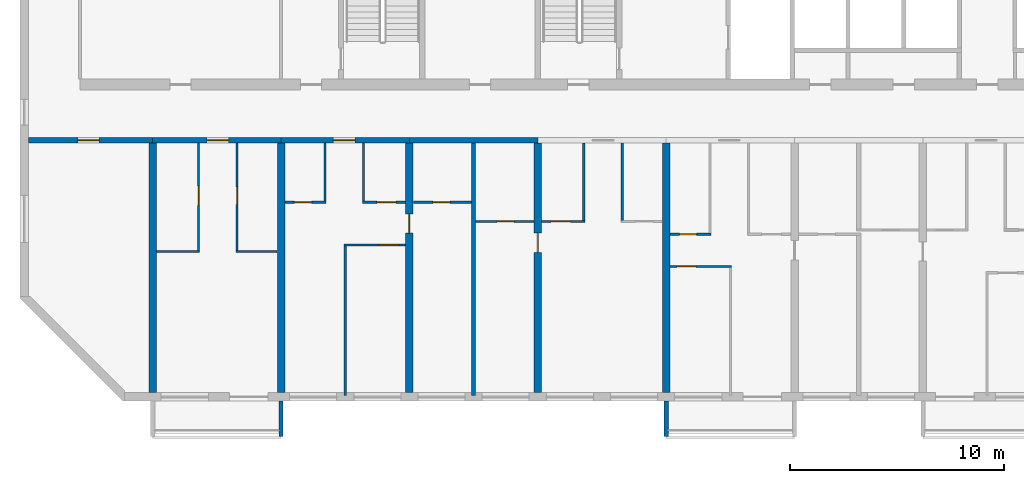
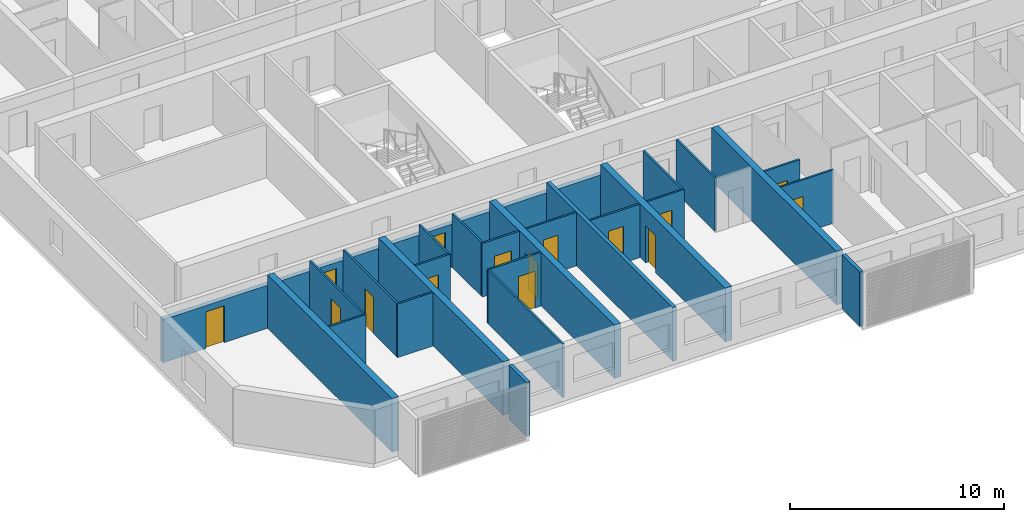
# One storey, part 2 of 27: 29 walls, 15 doors, 15 openings.
"""IFC4 building model written with IfcOpenShell, lengths in metres."""

import ifcopenshell
import ifcopenshell.guid

model = None  # the IFC model being written
_history = None  # IfcOwnerHistory: only IFC2X3 demands one
_inside = {}  # id of a spatial element -> (the spatial element, [elements in it])
_under = {}  # id of a project, library or spatial element -> (it, [spatial elements below it])
_declared = {}  # id of a project -> (the project, [libraries it declares])
_typed = {}  # id of a type object -> (the type object, [elements of that type])
_made_of = {}  # id of a material, layer set ... -> (it, [elements and type objects made of it])


def new_model(schema):
    """Start an empty IFC model of exactly this schema.

    Asked for "IFC4X3", IfcOpenShell would pick the latest addendum, in which some entities
    have other attributes; the version numbers below select the first issue.
    IFC2X3 requires an IfcOwnerHistory on every rooted entity: one is made here for all.
    """
    global model, _history
    if schema == "IFC4X3":
        model = ifcopenshell.file(schema_version=(4, 3, 0, 0))
    else:
        model = ifcopenshell.file(schema=schema)
    _inside.clear()
    _under.clear()
    _declared.clear()
    _typed.clear()
    _made_of.clear()
    _history = None
    if model.schema == "IFC2X3":
        org = make("IfcOrganization", Name="unknown")
        user = make(
            "IfcPersonAndOrganization",
            ThePerson=make("IfcPerson", FamilyName="unknown"),
            TheOrganization=org,
        )
        app = make(
            "IfcApplication",
            ApplicationDeveloper=org,
            Version="unknown",
            ApplicationFullName="unknown",
            ApplicationIdentifier="unknown",
        )
        _history = make(
            "IfcOwnerHistory",
            OwningUser=user,
            OwningApplication=app,
            ChangeAction="ADDED",
            CreationDate=0,
        )
    return model


def make(cls, **values):
    """One entity of the class cls with the attributes given. An attribute that is None is left unset."""
    return model.create_entity(
        cls, **{name: value for name, value in values.items() if value is not None}
    )


def rooted(cls, **values):
    """An entity with a GlobalId (a new one), such as an element, a storey or a relation."""
    return make(cls, GlobalId=ifcopenshell.guid.new(), OwnerHistory=_history, **values)


def si_unit(unit_type, name, prefix=None):
    """IfcSIUnit, for example si_unit("LENGTHUNIT", "METRE", prefix="MILLI")."""
    return make("IfcSIUnit", UnitType=unit_type, Prefix=prefix, Name=name)


def assignment(units):
    """IfcUnitAssignment: the units of a project."""
    return None if units is None else make("IfcUnitAssignment", Units=units)


def point(xyz):
    """IfcCartesianPoint."""
    return None if xyz is None else make("IfcCartesianPoint", Coordinates=xyz)


def direction(xyz):
    """IfcDirection."""
    return None if xyz is None else make("IfcDirection", DirectionRatios=xyz)


def frame(location, z_axis=None, x_axis=None):
    """IfcAxis2Placement3D, a coordinate frame: its origin and axes. An axis left out is left unset."""
    return make(
        "IfcAxis2Placement3D",
        Location=point(location),
        Axis=direction(z_axis),
        RefDirection=direction(x_axis),
    )


def frame_2d(location, x_axis=None):
    """IfcAxis2Placement2D, a coordinate frame in the plane: its origin and x axis."""
    return make(
        "IfcAxis2Placement2D", Location=point(location), RefDirection=direction(x_axis)
    )


def origin():
    """The frame at (0, 0, 0) with its axes left unset."""
    return frame((0.0, 0.0, 0.0))


def place(relative_to, where):
    """IfcLocalPlacement: puts the frame where relative to a parent placement (None: the world)."""
    return make(
        "IfcLocalPlacement", PlacementRelTo=relative_to, RelativePlacement=where
    )


def context(
    kind, dimensions, precision=None, world=None, true_north=None, identifier=None
):
    """IfcGeometricRepresentationContext, for example the 3D "Model" context."""
    return make(
        "IfcGeometricRepresentationContext",
        ContextIdentifier=identifier,
        ContextType=kind,
        CoordinateSpaceDimension=dimensions,
        Precision=precision,
        WorldCoordinateSystem=world,
        TrueNorth=true_north,
    )


def subcontext(parent, identifier, kind, view, scale=None):
    """IfcGeometricRepresentationSubContext, for example "Body" below "Model"."""
    return make(
        "IfcGeometricRepresentationSubContext",
        ContextIdentifier=identifier,
        ContextType=kind,
        ParentContext=parent,
        TargetScale=scale,
        TargetView=view,
    )


def project(units=None, contexts=None):
    """IfcProject with its units and contexts."""
    return rooted(
        "IfcProject",
        Name="project",
        RepresentationContexts=contexts,
        UnitsInContext=assignment(units),
    )


def spatial(cls, under=None, at=None, **own):
    """A site, building, storey or space (cls), placed at a placement, below another one or the project."""
    s = rooted(cls, ObjectPlacement=at, **own)
    if under is not None:
        _under.setdefault(under.id(), (under, []))[1].append(s)
    return s


def polyline(points):
    """IfcPolyline through the points."""
    return make("IfcPolyline", Points=[point(p) for p in points])


def profile(cls, at=None, kind="AREA", **sizes):
    """A parametric profile (cls). Its sizes go by their IFC names, for example OverallWidth=200.0."""
    return make(cls, ProfileType=kind, Position=at, **sizes)


def rectangle(**sizes):
    """IfcRectangleProfileDef."""
    return profile("IfcRectangleProfileDef", **sizes)


def outline(outer, holes=None, kind="AREA"):
    """IfcArbitraryClosedProfileDef: a profile drawn as a closed curve; with holes, ...WithVoids."""
    if holes is None:
        return make("IfcArbitraryClosedProfileDef", ProfileType=kind, OuterCurve=outer)
    return make(
        "IfcArbitraryProfileDefWithVoids",
        ProfileType=kind,
        OuterCurve=outer,
        InnerCurves=holes,
    )


def extrude(swept, where, along, depth):
    """IfcExtrudedAreaSolid: the profile swept, set in the frame where, extruded along a direction by depth."""
    return make(
        "IfcExtrudedAreaSolid",
        SweptArea=swept,
        Position=where,
        ExtrudedDirection=direction(along),
        Depth=depth,
    )


def shape(context_of_items, identifier, shape_type, items):
    """IfcShapeRepresentation: the items that make up one representation, for example the "Body"."""
    return make(
        "IfcShapeRepresentation",
        ContextOfItems=context_of_items,
        RepresentationIdentifier=identifier,
        RepresentationType=shape_type,
        Items=items,
    )


def source(mapping_origin, context_of_items, identifier, shape_type, items):
    """IfcRepresentationMap: a shape defined once, which mapped items show again and again."""
    return make(
        "IfcRepresentationMap",
        MappingOrigin=mapping_origin,
        MappedRepresentation=shape(context_of_items, identifier, shape_type, items),
    )


def transform(
    local_origin,
    x_axis=None,
    y_axis=None,
    z_axis=None,
    scale=None,
    scale2=None,
    scale3=None,
    uniform=True,
):
    """IfcCartesianTransformationOperator3D, or its non-uniform kind. x_axis, y_axis, z_axis: its Axis1, 2, 3."""
    if uniform:
        return make(
            "IfcCartesianTransformationOperator3D",
            Axis1=direction(x_axis),
            Axis2=direction(y_axis),
            LocalOrigin=point(local_origin),
            Scale=scale,
            Axis3=direction(z_axis),
        )
    return make(
        "IfcCartesianTransformationOperator3DnonUniform",
        Axis1=direction(x_axis),
        Axis2=direction(y_axis),
        LocalOrigin=point(local_origin),
        Scale=scale,
        Axis3=direction(z_axis),
        Scale2=scale2,
        Scale3=scale3,
    )


def mapped(mapping_source, mapping_target):
    """IfcMappedItem: shows the shape of a source again, moved by a transform."""
    return make(
        "IfcMappedItem", MappingSource=mapping_source, MappingTarget=mapping_target
    )


def material(Name=None, Category=None):
    """IfcMaterial."""
    return make("IfcMaterial", Name=Name, Category=Category)


def layer(
    of_material, thickness, ventilated=None, Name=None, Category=None, Priority=None
):
    """IfcMaterialLayer: one layer of a wall or slab, of a material (None: an air gap)."""
    return make(
        "IfcMaterialLayer",
        Material=of_material,
        LayerThickness=thickness,
        IsVentilated=ventilated,
        Name=Name,
        Category=Category,
        Priority=Priority,
    )


def layer_set(layers, Name=None):
    """IfcMaterialLayerSet."""
    return make("IfcMaterialLayerSet", MaterialLayers=layers, LayerSetName=Name)


def made_of(thing, what):
    """Note that an element or type object is made of a material, layer set ...; save() writes the relation."""
    if what is not None:
        _made_of.setdefault(what.id(), (what, []))[1].append(thing)
    return thing


def type_object(cls, material=None, **own):
    """A type object (cls), such as IfcWallType, which elements share."""
    return made_of(rooted(cls, **own), material)


def element(
    cls,
    number,
    at=None,
    inside=None,
    cuts=None,
    type_object=None,
    material=None,
    context=None,
    identifier="Body",
    shape_type=None,
    held_by="IfcProductDefinitionShape",
    body=None,
    shapes=None,
    **own,
):
    """One element of the class cls, such as IfcWall. Its Tag is "e" and its number.

    at: its placement. inside: the storey or other place that contains it. cuts: it is an
    opening in that element (IfcRelVoidsElement). A single representation is given by context,
    identifier, shape_type and body (its items); several are given by shapes. held_by: the class
    of the entity that holds the representations. save() writes the other relations.
    """
    e = rooted(cls, Tag="e%d" % number, ObjectPlacement=at, **own)
    if body is not None:
        shapes = [shape(context, identifier, shape_type, body)]
    if shapes is not None:
        e.Representation = make(held_by, Representations=shapes)
    if inside is not None:
        _inside.setdefault(inside.id(), (inside, []))[1].append(e)
    if cuts is not None:
        rooted(
            "IfcRelVoidsElement", RelatingBuildingElement=cuts, RelatedOpeningElement=e
        )
    if type_object is not None:
        _typed.setdefault(type_object.id(), (type_object, []))[1].append(e)
    return made_of(e, material)


def fill(opening, filler):
    """IfcRelFillsElement: the door or window that sits in an opening."""
    return rooted(
        "IfcRelFillsElement",
        RelatingOpeningElement=opening,
        RelatedBuildingElement=filler,
    )


def aggregate(whole, parts):
    """IfcRelAggregates: a whole, such as a stair, and the parts it consists of."""
    return rooted("IfcRelAggregates", RelatingObject=whole, RelatedObjects=parts)


def save(model, path):
    """Write the relations noted so far, then the file.

    IfcRelAggregates (storeys below a building ...), IfcRelContainedInSpatialStructure (elements
    in a storey), IfcRelDefinesByType, IfcRelAssociatesMaterial and IfcRelDeclares: one each for
    every whole, place, type object, material and project.
    """
    for whole, parts in _under.values():
        aggregate(whole, parts)
    for where, things in _inside.values():
        rooted(
            "IfcRelContainedInSpatialStructure",
            RelatedElements=things,
            RelatingStructure=where,
        )
    for kind, things in _typed.values():
        rooted("IfcRelDefinesByType", RelatedObjects=things, RelatingType=kind)
    for what, things in _made_of.values():
        rooted("IfcRelAssociatesMaterial", RelatedObjects=things, RelatingMaterial=what)
    for by, libraries in _declared.values():
        rooted("IfcRelDeclares", RelatingContext=by, RelatedDefinitions=libraries)
    model.write(path)


model = new_model("IFC4")

# Units and contexts
model_context = context("Model", 3, precision=1e-05, world=origin(), true_north=direction((0.0, 1.0)))
body_context = subcontext(model_context, "Body", "Model", "MODEL_VIEW")
ifc_project = project(units=[si_unit("LENGTHUNIT", "METRE"), si_unit("AREAUNIT", "SQUARE_METRE"), si_unit("VOLUMEUNIT", "CUBIC_METRE"), si_unit("PLANEANGLEUNIT", "RADIAN"), si_unit("MASSUNIT", "GRAM", prefix="KILO")], contexts=[model_context])

# Site, building, storey
site_placement = place(None, origin())
site = spatial("IfcSite", under=ifc_project, at=site_placement, CompositionType="ELEMENT")
building_placement = place(site_placement, origin())
building = spatial("IfcBuilding", under=site, at=building_placement, Name="Poui Terraces", CompositionType="ELEMENT")
storey_placement = place(building_placement, frame((0.0, 0.0, 92.699951171875)))
storey = spatial("IfcBuildingStorey", under=building, at=storey_placement, Name="L25", CompositionType="ELEMENT", Elevation=92.699951171875)

# Wall, opening, door
ifc_material_1 = material(Name="Concrete 65 MPa", Category="concrete")
ifc_layer_1 = layer(ifc_material_1, 0.25)
ifc_layer_set_1 = layer_set([ifc_layer_1], Name="Concrete 65 MPa")
wall_type_1 = type_object("IfcWallType", Name="CORRIDOR WALL 250 65MPa", PredefinedType="SHEAR", material=ifc_layer_set_1)
wall_1_placement = place(storey_placement, frame((6.199951171875, 12.0, 0.0), z_axis=(0.0, 0.0, 1.0), x_axis=(1.0, 0.0, 0.0)))
wall_1 = element("IfcWall", 1, at=wall_1_placement, inside=storey, type_object=wall_type_1, Name="CORRIDOR WALL LINE B BAY 1", PredefinedType="SHEAR", context=body_context, shape_type="SweptSolid", body=[
    extrude(rectangle(XDim=5.800048828125, YDim=0.25, at=frame_2d((2.89990234375, 0.0))), origin(), (0.0, 0.0, 1.0), 2.4599609375),
])
opening_1_placement = place(wall_1_placement, frame((2.300048828125, 0.0, 0.0)))
opening_1 = element("IfcOpeningElement", 2, at=opening_1_placement, cuts=wall_1, Name="Opening D100", PredefinedType="OPENING", context=body_context, shape_type="SweptSolid", body=[
    extrude(rectangle(XDim=1.0, YDim=2.10009765625, at=frame_2d((0.5, 1.050048828125))), frame((0.0, 0.135009765625, 0.0), z_axis=(0.0, -1.0, 0.0), x_axis=(1.0, 0.0, 0.0)), (0.0, 0.0, 1.0), 0.27001953125),
])
ifc_material_2 = material(Name="Solid core timber door", Category="wood")
door_type_1 = type_object("IfcDoorType", Name="ACCESSIBLE INTERNAL DOOR 1000 X 2100", OperationType="NOTDEFINED", PredefinedType="DOOR", material=ifc_material_2)
door_1_placement = place(opening_1_placement, frame((1.0, 0.0, 0.0), z_axis=(0.0, 0.0, 1.0), x_axis=(-1.0, 0.0, 0.0)))
door_1 = element("IfcDoor", 3, at=door_1_placement, inside=storey, type_object=door_type_1, Name="ACCESSIBLE INTERNAL DOOR 083", OperationType="SINGLE_SWING_RIGHT", OverallHeight=2.10009765625, OverallWidth=1.0, PredefinedType="DOOR", context=body_context, shape_type="SweptSolid", body=[
    extrude(rectangle(XDim=1.0, YDim=2.10009765625, at=frame_2d((0.5, 1.050048828125))), frame((0.0, 0.02490234375, 0.0), z_axis=(0.0, -1.0, 0.0), x_axis=(1.0, 0.0, 0.0)), (0.0, 0.0, 1.0), 0.050048828125),
])
fill(opening_1, door_1)

wall_2_placement = place(storey_placement, frame((12.0, 12.0, 0.0), z_axis=(0.0, 0.0, 1.0), x_axis=(1.0, 0.0, 0.0)))
wall_2 = element("IfcWall", 4, at=wall_2_placement, inside=storey, type_object=wall_type_1, Name="CORRIDOR WALL LINE B BAY 2", PredefinedType="SHEAR", context=body_context, shape_type="SweptSolid", body=[
    extrude(rectangle(XDim=6.0, YDim=0.25, at=frame_2d((3.0, 0.0))), origin(), (0.0, 0.0, 1.0), 2.4599609375),
])
opening_2_placement = place(wall_2_placement, frame((2.550048828125, 0.0, 0.0)))
opening_2 = element("IfcOpeningElement", 5, at=opening_2_placement, cuts=wall_2, Name="Opening FD30S", PredefinedType="OPENING", context=body_context, shape_type="SweptSolid", body=[
    extrude(rectangle(XDim=1.0, YDim=2.10009765625, at=frame_2d((0.5, 1.050048828125))), frame((0.0, 0.135009765625, 0.0), z_axis=(0.0, -1.0, 0.0), x_axis=(1.0, 0.0, 0.0)), (0.0, 0.0, 1.0), 0.27001953125),
])
ifc_material_3 = material(Name="Steel fire door", Category="steel")
door_type_2 = type_object("IfcDoorType", Name="FLAT ENTRANCE DOOR 1000 X 2100", OperationType="NOTDEFINED", PredefinedType="DOOR", material=ifc_material_3)
door_2_placement = place(opening_2_placement, frame((1.0, 0.0, 0.0), z_axis=(0.0, 0.0, 1.0), x_axis=(-1.0, 0.0, 0.0)))
door_2 = element("IfcDoor", 6, at=door_2_placement, inside=storey, type_object=door_type_2, Name="FLAT ENTRANCE DOOR 085", OperationType="SINGLE_SWING_LEFT", OverallHeight=2.10009765625, OverallWidth=1.0, PredefinedType="DOOR", context=body_context, shape_type="SweptSolid", body=[
    extrude(rectangle(XDim=1.0, YDim=2.10009765625, at=frame_2d((0.5, 1.050048828125))), frame((0.0, 0.02490234375, 0.0), z_axis=(0.0, -1.0, 0.0), x_axis=(1.0, 0.0, 0.0)), (0.0, 0.0, 1.0), 0.050048828125),
])
fill(opening_2, door_2)

wall_3_placement = place(storey_placement, frame((18.0, 12.0, 0.0), z_axis=(0.0, 0.0, 1.0), x_axis=(1.0, 0.0, 0.0)))
wall_3 = element("IfcWall", 7, at=wall_3_placement, inside=storey, type_object=wall_type_1, Name="CORRIDOR WALL LINE B BAY 3", PredefinedType="SHEAR", context=body_context, shape_type="SweptSolid", body=[
    extrude(rectangle(XDim=6.0, YDim=0.25, at=frame_2d((3.0, 0.0))), origin(), (0.0, 0.0, 1.0), 2.4599609375),
])
opening_3_placement = place(wall_3_placement, frame((2.449951171875, 0.0, 0.0)))
opening_3 = element("IfcOpeningElement", 8, at=opening_3_placement, cuts=wall_3, Name="Opening FD30S", PredefinedType="OPENING", context=body_context, shape_type="SweptSolid", body=[
    extrude(rectangle(XDim=1.0, YDim=2.10009765625, at=frame_2d((0.5, 1.050048828125))), frame((0.0, 0.135009765625, 0.0), z_axis=(0.0, -1.0, 0.0), x_axis=(1.0, 0.0, 0.0)), (0.0, 0.0, 1.0), 0.27001953125),
])
door_3_placement = place(opening_3_placement, frame((1.0, 0.0, 0.0), z_axis=(0.0, 0.0, 1.0), x_axis=(-1.0, 0.0, 0.0)))
door_3 = element("IfcDoor", 9, at=door_3_placement, inside=storey, type_object=door_type_2, Name="FLAT ENTRANCE DOOR 089", OperationType="SINGLE_SWING_RIGHT", OverallHeight=2.10009765625, OverallWidth=1.0, PredefinedType="DOOR", context=body_context, shape_type="SweptSolid", body=[
    extrude(rectangle(XDim=1.0, YDim=2.10009765625, at=frame_2d((0.5, 1.050048828125))), frame((0.0, 0.02490234375, 0.0), z_axis=(0.0, -1.0, 0.0), x_axis=(1.0, 0.0, 0.0)), (0.0, 0.0, 1.0), 0.050048828125),
])
fill(opening_3, door_3)

# Walls
wall_4_placement = place(storey_placement, frame((24.0, 12.0, 0.0), z_axis=(0.0, 0.0, 1.0), x_axis=(1.0, 0.0, 0.0)))
element("IfcWall", 10, at=wall_4_placement, inside=storey, type_object=wall_type_1, Name="CORRIDOR WALL LINE B BAY 4", PredefinedType="SHEAR", context=body_context, shape_type="SweptSolid", body=[
    extrude(rectangle(XDim=6.0, YDim=0.25, at=frame_2d((3.0, 0.0))), origin(), (0.0, 0.0, 1.0), 2.4599609375),
])
ifc_layer_2 = layer(ifc_material_1, 0.35009765625)
ifc_layer_set_2 = layer_set([ifc_layer_2], Name="Concrete 65 MPa")
wall_type_2 = type_object("IfcWallType", Name="CROSS WALL 350 65MPa", PredefinedType="SHEAR", material=ifc_layer_set_2)
for number, where, z_axis, x_axis, name in (
    (11, (12.0, 0.199951171875, 0.0), (0.0, 0.0, 1.0), (0.0, 1.0, 0.0), "CROSS WALL LINE 3 SOUTH"),
    (12, (18.0, 0.199951171875, 0.0), (0.0, 0.0, 1.0), (0.0, 1.0, 0.0), "CROSS WALL LINE 4 SOUTH"),
):
    element("IfcWall", number, at=place(storey_placement, frame(where, z_axis=z_axis, x_axis=x_axis)), inside=storey, type_object=wall_type_2, Name=name, PredefinedType="SHEAR", context=body_context, shape_type="SweptSolid", body=[
        extrude(rectangle(XDim=11.675048828125, YDim=0.35009765625, at=frame_2d((5.83740234375, 0.0))), origin(), (0.0, 0.0, 1.0), 3.06005859375),
    ])

# Wall, opening, door
wall_5_placement = place(storey_placement, frame((24.0, 0.199951171875, 0.0), z_axis=(0.0, 0.0, 1.0), x_axis=(0.0, 1.0, 0.0)))
wall_5 = element("IfcWall", 13, at=wall_5_placement, inside=storey, type_object=wall_type_2, Name="CROSS WALL LINE 5 SOUTH", PredefinedType="SHEAR", context=body_context, shape_type="SweptSolid", body=[
    extrude(rectangle(XDim=11.675048828125, YDim=0.35009765625, at=frame_2d((5.83740234375, 0.0))), origin(), (0.0, 0.0, 1.0), 3.06005859375),
])
opening_4_placement = place(wall_5_placement, frame((7.449951171875, 0.0, 0.0)))
opening_4 = element("IfcOpeningElement", 14, at=opening_4_placement, cuts=wall_5, Name="Opening D90", PredefinedType="OPENING", context=body_context, shape_type="SweptSolid", body=[
    extrude(rectangle(XDim=0.89990234375, YDim=2.10009765625, at=frame_2d((0.449951171875, 1.050048828125))), frame((0.0, 0.18505859375, 0.0), z_axis=(0.0, -1.0, 0.0), x_axis=(1.0, 0.0, 0.0)), (0.0, 0.0, 1.0), 0.3701171875),
])
door_type_3 = type_object("IfcDoorType", Name="INTERNAL DOOR 900 X 2100", OperationType="NOTDEFINED", PredefinedType="DOOR", material=ifc_material_2)
door_4_placement = place(opening_4_placement, frame((0.89990234375, 0.0, 0.0), z_axis=(0.0, 0.0, 1.0), x_axis=(-1.0, 0.0, 0.0)))
door_4 = element("IfcDoor", 15, at=door_4_placement, inside=storey, type_object=door_type_3, Name="INTERNAL DOOR 092", OperationType="SINGLE_SWING_LEFT", OverallHeight=2.10009765625, OverallWidth=0.89990234375, PredefinedType="DOOR", context=body_context, shape_type="SweptSolid", body=[
    extrude(rectangle(XDim=0.89990234375, YDim=2.10009765625, at=frame_2d((0.449951171875, 1.050048828125))), frame((0.0, 0.02490234375, 0.0), z_axis=(0.0, -1.0, 0.0), x_axis=(1.0, 0.0, 0.0)), (0.0, 0.0, 1.0), 0.050048828125),
])
fill(opening_4, door_4)

wall_6_placement = place(storey_placement, frame((30.0, 0.199951171875, 0.0), z_axis=(0.0, 0.0, 1.0), x_axis=(0.0, 1.0, 0.0)))
wall_6 = element("IfcWall", 16, at=wall_6_placement, inside=storey, type_object=wall_type_2, Name="CROSS WALL LINE 6 SOUTH", PredefinedType="SHEAR", context=body_context, shape_type="SweptSolid", body=[
    extrude(rectangle(XDim=11.675048828125, YDim=0.35009765625, at=frame_2d((5.83740234375, 0.0))), origin(), (0.0, 0.0, 1.0), 3.06005859375),
])
opening_5_placement = place(wall_6_placement, frame((6.550048828125, 0.0, 0.0)))
opening_5 = element("IfcOpeningElement", 17, at=opening_5_placement, cuts=wall_6, Name="Opening D90", PredefinedType="OPENING", context=body_context, shape_type="SweptSolid", body=[
    extrude(rectangle(XDim=0.89990234375, YDim=2.10009765625, at=frame_2d((0.449951171875, 1.050048828125))), frame((0.0, 0.18505859375, 0.0), z_axis=(0.0, -1.0, 0.0), x_axis=(1.0, 0.0, 0.0)), (0.0, 0.0, 1.0), 0.3701171875),
])
door_5_placement = place(opening_5_placement, origin())
door_5 = element("IfcDoor", 18, at=door_5_placement, inside=storey, type_object=door_type_3, Name="INTERNAL DOOR 094", OperationType="SINGLE_SWING_RIGHT", OverallHeight=2.10009765625, OverallWidth=0.89990234375, PredefinedType="DOOR", context=body_context, shape_type="SweptSolid", body=[
    extrude(rectangle(XDim=0.89990234375, YDim=2.10009765625, at=frame_2d((0.449951171875, 1.050048828125))), frame((0.0, 0.02490234375, 0.0), z_axis=(0.0, -1.0, 0.0), x_axis=(1.0, 0.0, 0.0)), (0.0, 0.0, 1.0), 0.050048828125),
])
fill(opening_5, door_5)

# Wall
wall_7_placement = place(storey_placement, frame((36.0, 0.199951171875, 0.0), z_axis=(0.0, 0.0, 1.0), x_axis=(0.0, 1.0, 0.0)))
element("IfcWall", 19, at=wall_7_placement, inside=storey, type_object=wall_type_2, Name="CROSS WALL LINE 7 SOUTH", PredefinedType="SHEAR", context=body_context, shape_type="SweptSolid", body=[
    extrude(rectangle(XDim=11.675048828125, YDim=0.35009765625, at=frame_2d((5.83740234375, 0.0))), origin(), (0.0, 0.0, 1.0), 3.06005859375),
])

# Wall, opening, door
ifc_material_4 = material(Name="Plasterboard partition")
ifc_layer_3 = layer(ifc_material_4, 0.10009765625)
ifc_layer_set_3 = layer_set([ifc_layer_3], Name="Plasterboard partition")
wall_type_3 = type_object("IfcWallType", Name="FLAT PARTITION 100", PredefinedType="PARTITIONING", material=ifc_layer_set_3)
wall_8_placement = place(storey_placement, frame((36.18505859375, 6.10009765625, 0.0), z_axis=(0.0, 0.0, 1.0), x_axis=(1.0, 0.0, 0.0)))
wall_8 = element("IfcWall", 20, at=wall_8_placement, inside=storey, type_object=wall_type_3, Name="FLAT PARTITION 100", PredefinedType="PARTITIONING", context=body_context, shape_type="SweptSolid", body=[
    extrude(rectangle(XDim=2.864990234375, YDim=0.10009765625, at=frame_2d((1.4326171875, 0.0))), origin(), (0.0, 0.0, 1.0), 3.06005859375),
])
opening_6_placement = place(wall_8_placement, frame((0.31494140625, 0.0, 0.0)))
opening_6 = element("IfcOpeningElement", 21, at=opening_6_placement, cuts=wall_8, Name="Opening D90", PredefinedType="OPENING", context=body_context, shape_type="SweptSolid", body=[
    extrude(rectangle(XDim=0.89990234375, YDim=2.10009765625, at=frame_2d((0.449951171875, 1.050048828125))), frame((0.0, 0.06005859375, 0.0), z_axis=(0.0, -1.0, 0.0), x_axis=(1.0, 0.0, 0.0)), (0.0, 0.0, 1.0), 0.1201171875),
])
door_6_placement = place(opening_6_placement, origin())
door_6 = element("IfcDoor", 22, at=door_6_placement, inside=storey, type_object=door_type_3, Name="INTERNAL DOOR 099", OperationType="SINGLE_SWING_RIGHT", OverallHeight=2.10009765625, OverallWidth=0.89990234375, PredefinedType="DOOR", context=body_context, shape_type="SweptSolid", body=[
    extrude(rectangle(XDim=0.89990234375, YDim=2.10009765625, at=frame_2d((0.449951171875, 1.050048828125))), frame((0.0, 0.02490234375, 0.0), z_axis=(0.0, -1.0, 0.0), x_axis=(1.0, 0.0, 0.0)), (0.0, 0.0, 1.0), 0.050048828125),
])
fill(opening_6, door_6)

# Walls
wall_9_placement = place(storey_placement, frame((12.18505859375, 6.800048828125, 0.0), z_axis=(0.0, 0.0, 1.0), x_axis=(1.0, 0.0, 0.0)))
element("IfcWall", 23, at=wall_9_placement, inside=storey, type_object=wall_type_3, Name="FLAT PARTITION 100", PredefinedType="PARTITIONING", context=body_context, shape_type="SweptSolid", body=[
    extrude(rectangle(XDim=2.014892578125, YDim=0.10009765625, at=frame_2d((1.00732421875, 0.0))), origin(), (0.0, 0.0, 1.0), 3.06005859375),
])
wall_10_placement = place(storey_placement, frame((15.89990234375, 6.800048828125, 0.0), z_axis=(0.0, 0.0, 1.0), x_axis=(1.0, 0.0, 0.0)))
element("IfcWall", 24, at=wall_10_placement, inside=storey, type_object=wall_type_3, Name="FLAT PARTITION 100", PredefinedType="PARTITIONING", context=body_context, shape_type="SweptSolid", body=[
    extrude(rectangle(XDim=1.9150390625, YDim=0.10009765625, at=frame_2d((0.95751953125, 0.0))), origin(), (0.0, 0.0, 1.0), 3.06005859375),
])

# Wall, opening, door
wall_11_placement = place(storey_placement, frame((20.949951171875, 7.10009765625, 0.0), z_axis=(0.0, 0.0, 1.0), x_axis=(1.0, 0.0, 0.0)))
wall_11 = element("IfcWall", 25, at=wall_11_placement, inside=storey, type_object=wall_type_3, Name="FLAT PARTITION 100", PredefinedType="PARTITIONING", context=body_context, shape_type="SweptSolid", body=[
    extrude(rectangle(XDim=2.864990234375, YDim=0.10009765625, at=frame_2d((1.4326171875, 0.0))), origin(), (0.0, 0.0, 1.0), 3.06005859375),
])
opening_7_placement = place(wall_11_placement, frame((1.64990234375, 0.0, 0.0)))
opening_7 = element("IfcOpeningElement", 26, at=opening_7_placement, cuts=wall_11, Name="Opening D90", PredefinedType="OPENING", context=body_context, shape_type="SweptSolid", body=[
    extrude(rectangle(XDim=0.89990234375, YDim=2.10009765625, at=frame_2d((0.449951171875, 1.050048828125))), frame((0.0, 0.06005859375, 0.0), z_axis=(0.0, -1.0, 0.0), x_axis=(1.0, 0.0, 0.0)), (0.0, 0.0, 1.0), 0.1201171875),
])
door_7_placement = place(opening_7_placement, origin())
door_7 = element("IfcDoor", 27, at=door_7_placement, inside=storey, type_object=door_type_3, Name="INTERNAL DOOR 091", OperationType="SINGLE_SWING_LEFT", OverallHeight=2.10009765625, OverallWidth=0.89990234375, PredefinedType="DOOR", context=body_context, shape_type="SweptSolid", body=[
    extrude(rectangle(XDim=0.89990234375, YDim=2.10009765625, at=frame_2d((0.449951171875, 1.050048828125))), frame((0.0, 0.02490234375, 0.0), z_axis=(0.0, -1.0, 0.0), x_axis=(1.0, 0.0, 0.0)), (0.0, 0.0, 1.0), 0.050048828125),
])
fill(opening_7, door_7)

wall_12_placement = place(storey_placement, frame((36.18505859375, 7.60009765625, 0.0), z_axis=(0.0, 0.0, 1.0), x_axis=(1.0, 0.0, 0.0)))
wall_12 = element("IfcWall", 28, at=wall_12_placement, inside=storey, type_object=wall_type_3, Name="FLAT PARTITION 100", PredefinedType="PARTITIONING", context=body_context, shape_type="SweptSolid", body=[
    extrude(rectangle(XDim=1.9150390625, YDim=0.10009765625, at=frame_2d((0.95751953125, 0.0))), origin(), (0.0, 0.0, 1.0), 3.06005859375),
])
opening_8_placement = place(wall_12_placement, frame((0.43994140625, 0.0, 0.0)))
opening_8 = element("IfcOpeningElement", 29, at=opening_8_placement, cuts=wall_12, Name="Opening D80", PredefinedType="OPENING", context=body_context, shape_type="SweptSolid", body=[
    extrude(rectangle(XDim=0.800048828125, YDim=2.10009765625, at=frame_2d((0.39990234375, 1.050048828125))), frame((0.0, 0.06005859375, 0.0), z_axis=(0.0, -1.0, 0.0), x_axis=(1.0, 0.0, 0.0)), (0.0, 0.0, 1.0), 0.1201171875),
])
door_type_4 = type_object("IfcDoorType", Name="BATHROOM, LAUNDRY AND STORE DOOR 800 X 2100", OperationType="NOTDEFINED", PredefinedType="DOOR", material=ifc_material_2)
door_8_placement = place(opening_8_placement, origin())
door_8 = element("IfcDoor", 30, at=door_8_placement, inside=storey, type_object=door_type_4, Name="BATHROOM, LAUNDRY AND STORE DOOR 100", OperationType="SINGLE_SWING_LEFT", OverallHeight=2.10009765625, OverallWidth=0.800048828125, PredefinedType="DOOR", context=body_context, shape_type="SweptSolid", body=[
    extrude(rectangle(XDim=0.800048828125, YDim=2.10009765625, at=frame_2d((0.39990234375, 1.050048828125))), frame((0.0, 0.02490234375, 0.0), z_axis=(0.0, -1.0, 0.0), x_axis=(1.0, 0.0, 0.0)), (0.0, 0.0, 1.0), 0.050048828125),
])
fill(opening_8, door_8)

wall_13_placement = place(storey_placement, frame((27.10009765625, 8.199951171875, 0.0), z_axis=(0.0, 0.0, 1.0), x_axis=(1.0, 0.0, 0.0)))
wall_13 = element("IfcWall", 31, at=wall_13_placement, inside=storey, type_object=wall_type_3, Name="FLAT PARTITION 100", PredefinedType="PARTITIONING", context=body_context, shape_type="SweptSolid", body=[
    extrude(rectangle(XDim=2.71484375, YDim=0.10009765625, at=frame_2d((1.357421875, 0.0))), origin(), (0.0, 0.0, 1.0), 3.06005859375),
])
opening_9_placement = place(wall_13_placement, frame((1.0, 0.0, 0.0)))
opening_9 = element("IfcOpeningElement", 32, at=opening_9_placement, cuts=wall_13, Name="Opening D80", PredefinedType="OPENING", context=body_context, shape_type="SweptSolid", body=[
    extrude(rectangle(XDim=0.800048828125, YDim=2.10009765625, at=frame_2d((0.39990234375, 1.050048828125))), frame((0.0, 0.06005859375, 0.0), z_axis=(0.0, -1.0, 0.0), x_axis=(1.0, 0.0, 0.0)), (0.0, 0.0, 1.0), 0.1201171875),
])
door_9_placement = place(opening_9_placement, origin())
door_9 = element("IfcDoor", 33, at=door_9_placement, inside=storey, type_object=door_type_4, Name="BATHROOM, LAUNDRY AND STORE DOOR 093", OperationType="SINGLE_SWING_RIGHT", OverallHeight=2.10009765625, OverallWidth=0.800048828125, PredefinedType="DOOR", context=body_context, shape_type="SweptSolid", body=[
    extrude(rectangle(XDim=0.800048828125, YDim=2.10009765625, at=frame_2d((0.39990234375, 1.050048828125))), frame((0.0, 0.02490234375, 0.0), z_axis=(0.0, -1.0, 0.0), x_axis=(1.0, 0.0, 0.0)), (0.0, 0.0, 1.0), 0.050048828125),
])
fill(opening_9, door_9)

wall_14_placement = place(storey_placement, frame((30.18505859375, 8.199951171875, 0.0), z_axis=(0.0, 0.0, 1.0), x_axis=(1.0, 0.0, 0.0)))
wall_14 = element("IfcWall", 34, at=wall_14_placement, inside=storey, type_object=wall_type_3, Name="FLAT PARTITION 100", PredefinedType="PARTITIONING", context=body_context, shape_type="SweptSolid", body=[
    extrude(rectangle(XDim=2.014892578125, YDim=0.10009765625, at=frame_2d((1.00732421875, 0.0))), origin(), (0.0, 0.0, 1.0), 3.06005859375),
])
opening_10_placement = place(wall_14_placement, frame((0.43994140625, 0.0, 0.0)))
opening_10 = element("IfcOpeningElement", 35, at=opening_10_placement, cuts=wall_14, Name="Opening D90", PredefinedType="OPENING", context=body_context, shape_type="SweptSolid", body=[
    extrude(rectangle(XDim=0.89990234375, YDim=2.10009765625, at=frame_2d((0.449951171875, 1.050048828125))), frame((0.0, 0.06005859375, 0.0), z_axis=(0.0, -1.0, 0.0), x_axis=(1.0, 0.0, 0.0)), (0.0, 0.0, 1.0), 0.1201171875),
])
door_10_placement = place(opening_10_placement, origin())
door_10 = element("IfcDoor", 36, at=door_10_placement, inside=storey, type_object=door_type_3, Name="INTERNAL DOOR 095", OperationType="SINGLE_SWING_LEFT", OverallHeight=2.10009765625, OverallWidth=0.89990234375, PredefinedType="DOOR", context=body_context, shape_type="SweptSolid", body=[
    extrude(rectangle(XDim=0.89990234375, YDim=2.10009765625, at=frame_2d((0.449951171875, 1.050048828125))), frame((0.0, 0.02490234375, 0.0), z_axis=(0.0, -1.0, 0.0), x_axis=(1.0, 0.0, 0.0)), (0.0, 0.0, 1.0), 0.050048828125),
])
fill(opening_10, door_10)

wall_15_placement = place(storey_placement, frame((18.18505859375, 9.10009765625, 0.0), z_axis=(0.0, 0.0, 1.0), x_axis=(1.0, 0.0, 0.0)))
wall_15 = element("IfcWall", 37, at=wall_15_placement, inside=storey, type_object=wall_type_3, Name="FLAT PARTITION 100", PredefinedType="PARTITIONING", context=body_context, shape_type="SweptSolid", body=[
    extrude(rectangle(XDim=1.9150390625, YDim=0.10009765625, at=frame_2d((0.95751953125, 0.0))), origin(), (0.0, 0.0, 1.0), 3.06005859375),
])
opening_11_placement = place(wall_15_placement, frame((0.43994140625, 0.0, 0.0)))
opening_11 = element("IfcOpeningElement", 38, at=opening_11_placement, cuts=wall_15, Name="Opening D80", PredefinedType="OPENING", context=body_context, shape_type="SweptSolid", body=[
    extrude(rectangle(XDim=0.800048828125, YDim=2.10009765625, at=frame_2d((0.39990234375, 1.050048828125))), frame((0.0, 0.06005859375, 0.0), z_axis=(0.0, -1.0, 0.0), x_axis=(1.0, 0.0, 0.0)), (0.0, 0.0, 1.0), 0.1201171875),
])
door_11_placement = place(opening_11_placement, origin())
door_11 = element("IfcDoor", 39, at=door_11_placement, inside=storey, type_object=door_type_4, Name="BATHROOM, LAUNDRY AND STORE DOOR 088", OperationType="SINGLE_SWING_LEFT", OverallHeight=2.10009765625, OverallWidth=0.800048828125, PredefinedType="DOOR", context=body_context, shape_type="SweptSolid", body=[
    extrude(rectangle(XDim=0.800048828125, YDim=2.10009765625, at=frame_2d((0.39990234375, 1.050048828125))), frame((0.0, 0.02490234375, 0.0), z_axis=(0.0, -1.0, 0.0), x_axis=(1.0, 0.0, 0.0)), (0.0, 0.0, 1.0), 0.050048828125),
])
fill(opening_11, door_11)

wall_16_placement = place(storey_placement, frame((21.800048828125, 9.10009765625, 0.0), z_axis=(0.0, 0.0, 1.0), x_axis=(1.0, 0.0, 0.0)))
wall_16 = element("IfcWall", 40, at=wall_16_placement, inside=storey, type_object=wall_type_3, Name="FLAT PARTITION 100", PredefinedType="PARTITIONING", context=body_context, shape_type="SweptSolid", body=[
    extrude(rectangle(XDim=2.014892578125, YDim=0.10009765625, at=frame_2d((1.00732421875, 0.0))), origin(), (0.0, 0.0, 1.0), 3.06005859375),
])
opening_12_placement = place(wall_16_placement, frame((0.675048828125, 0.0, 0.0)))
opening_12 = element("IfcOpeningElement", 41, at=opening_12_placement, cuts=wall_16, Name="Opening D90", PredefinedType="OPENING", context=body_context, shape_type="SweptSolid", body=[
    extrude(rectangle(XDim=0.89990234375, YDim=2.10009765625, at=frame_2d((0.449951171875, 1.050048828125))), frame((0.0, 0.06005859375, 0.0), z_axis=(0.0, -1.0, 0.0), x_axis=(1.0, 0.0, 0.0)), (0.0, 0.0, 1.0), 0.1201171875),
])
door_12_placement = place(opening_12_placement, origin())
door_12 = element("IfcDoor", 42, at=door_12_placement, inside=storey, type_object=door_type_3, Name="INTERNAL DOOR 090", OperationType="SINGLE_SWING_RIGHT", OverallHeight=2.10009765625, OverallWidth=0.89990234375, PredefinedType="DOOR", context=body_context, shape_type="SweptSolid", body=[
    extrude(rectangle(XDim=0.89990234375, YDim=2.10009765625, at=frame_2d((0.449951171875, 1.050048828125))), frame((0.0, 0.02490234375, 0.0), z_axis=(0.0, -1.0, 0.0), x_axis=(1.0, 0.0, 0.0)), (0.0, 0.0, 1.0), 0.050048828125),
])
fill(opening_12, door_12)

wall_17_placement = place(storey_placement, frame((24.18505859375, 9.10009765625, 0.0), z_axis=(0.0, 0.0, 1.0), x_axis=(1.0, 0.0, 0.0)))
wall_17 = element("IfcWall", 43, at=wall_17_placement, inside=storey, type_object=wall_type_3, Name="FLAT PARTITION 100", PredefinedType="PARTITIONING", context=body_context, shape_type="SweptSolid", body=[
    extrude(rectangle(XDim=2.71484375, YDim=0.10009765625, at=frame_2d((1.357421875, 0.0))), origin(), (0.0, 0.0, 1.0), 3.06005859375),
])
opening_13_placement = place(wall_17_placement, frame((0.9150390625, 0.0, 0.0)))
opening_13 = element("IfcOpeningElement", 44, at=opening_13_placement, cuts=wall_17, Name="Opening D80", PredefinedType="OPENING", context=body_context, shape_type="SweptSolid", body=[
    extrude(rectangle(XDim=0.800048828125, YDim=2.10009765625, at=frame_2d((0.39990234375, 1.050048828125))), frame((0.0, 0.06005859375, 0.0), z_axis=(0.0, -1.0, 0.0), x_axis=(1.0, 0.0, 0.0)), (0.0, 0.0, 1.0), 0.1201171875),
])
door_13_placement = place(opening_13_placement, origin())
door_13 = element("IfcDoor", 45, at=door_13_placement, inside=storey, type_object=door_type_4, Name="BATHROOM, LAUNDRY AND STORE DOOR 087", OperationType="SINGLE_SWING_LEFT", OverallHeight=2.10009765625, OverallWidth=0.800048828125, PredefinedType="DOOR", context=body_context, shape_type="SweptSolid", body=[
    extrude(rectangle(XDim=0.800048828125, YDim=2.10009765625, at=frame_2d((0.39990234375, 1.050048828125))), frame((0.0, 0.02490234375, 0.0), z_axis=(0.0, -1.0, 0.0), x_axis=(1.0, 0.0, 0.0)), (0.0, 0.0, 1.0), 0.050048828125),
])
fill(opening_13, door_13)

wall_18_placement = place(storey_placement, frame((14.14990234375, 6.85009765625, 0.0), z_axis=(0.0, 0.0, 1.0), x_axis=(0.0, 1.0, 0.0)))
wall_18 = element("IfcWall", 46, at=wall_18_placement, inside=storey, type_object=wall_type_3, Name="FLAT PARTITION 100", PredefinedType="PARTITIONING", context=body_context, shape_type="SweptSolid", body=[
    extrude(rectangle(XDim=5.014892578125, YDim=0.10009765625, at=frame_2d((2.50732421875, 0.0))), origin(), (0.0, 0.0, 1.0), 3.06005859375),
])
opening_14_placement = place(wall_18_placement, frame((2.10009765625, 0.0, 0.0)))
opening_14 = element("IfcOpeningElement", 47, at=opening_14_placement, cuts=wall_18, Name="Opening D90", PredefinedType="OPENING", context=body_context, shape_type="SweptSolid", body=[
    extrude(rectangle(XDim=0.89990234375, YDim=2.10009765625, at=frame_2d((0.449951171875, 1.050048828125))), frame((0.0, 0.06005859375, 0.0), z_axis=(0.0, -1.0, 0.0), x_axis=(1.0, 0.0, 0.0)), (0.0, 0.0, 1.0), 0.1201171875),
])
door_14_placement = place(opening_14_placement, origin())
door_14 = element("IfcDoor", 48, at=door_14_placement, inside=storey, type_object=door_type_3, Name="INTERNAL DOOR 084", OperationType="SINGLE_SWING_LEFT", OverallHeight=2.10009765625, OverallWidth=0.89990234375, PredefinedType="DOOR", context=body_context, shape_type="SweptSolid", body=[
    extrude(rectangle(XDim=0.89990234375, YDim=2.10009765625, at=frame_2d((0.449951171875, 1.050048828125))), frame((0.0, 0.02490234375, 0.0), z_axis=(0.0, -1.0, 0.0), x_axis=(1.0, 0.0, 0.0)), (0.0, 0.0, 1.0), 0.050048828125),
])
fill(opening_14, door_14)

wall_19_placement = place(storey_placement, frame((15.949951171875, 6.85009765625, 0.0), z_axis=(0.0, 0.0, 1.0), x_axis=(0.0, 1.0, 0.0)))
wall_19 = element("IfcWall", 49, at=wall_19_placement, inside=storey, type_object=wall_type_3, Name="FLAT PARTITION 100", PredefinedType="PARTITIONING", context=body_context, shape_type="SweptSolid", body=[
    extrude(rectangle(XDim=5.014892578125, YDim=0.10009765625, at=frame_2d((2.50732421875, 0.0))), origin(), (0.0, 0.0, 1.0), 3.06005859375),
])
opening_15_placement = place(wall_19_placement, frame((2.14990234375, 0.0, 0.0)))
opening_15 = element("IfcOpeningElement", 50, at=opening_15_placement, cuts=wall_19, Name="Opening D80", PredefinedType="OPENING", context=body_context, shape_type="SweptSolid", body=[
    extrude(rectangle(XDim=0.800048828125, YDim=2.10009765625, at=frame_2d((0.39990234375, 1.050048828125))), frame((0.0, 0.06005859375, 0.0), z_axis=(0.0, -1.0, 0.0), x_axis=(1.0, 0.0, 0.0)), (0.0, 0.0, 1.0), 0.1201171875),
])
door_15_placement = place(opening_15_placement, frame((0.800048828125, 0.0, 0.0), z_axis=(0.0, 0.0, 1.0), x_axis=(-1.0, 0.0, 0.0)))
door_15 = element("IfcDoor", 51, at=door_15_placement, inside=storey, type_object=door_type_4, Name="BATHROOM, LAUNDRY AND STORE DOOR 086", OperationType="SINGLE_SWING_LEFT", OverallHeight=2.10009765625, OverallWidth=0.800048828125, PredefinedType="DOOR", context=body_context, shape_type="SweptSolid", body=[
    extrude(rectangle(XDim=0.800048828125, YDim=2.10009765625, at=frame_2d((0.39990234375, 1.050048828125))), frame((0.0, 0.02490234375, 0.0), z_axis=(0.0, -1.0, 0.0), x_axis=(1.0, 0.0, 0.0)), (0.0, 0.0, 1.0), 0.050048828125),
])
fill(opening_15, door_15)

# Walls
wall_20_placement = place(storey_placement, frame((20.050048828125, 9.14990234375, 0.0), z_axis=(0.0, 0.0, 1.0), x_axis=(0.0, 1.0, 0.0)))
element("IfcWall", 52, at=wall_20_placement, inside=storey, type_object=wall_type_3, Name="FLAT PARTITION 100", PredefinedType="PARTITIONING", context=body_context, shape_type="SweptSolid", body=[
    extrude(rectangle(XDim=2.715087890625, YDim=0.10009765625, at=frame_2d((1.357421875, 0.0))), origin(), (0.0, 0.0, 1.0), 3.06005859375),
])
wall_21_placement = place(storey_placement, frame((21.0, 0.06005859375, 0.0), z_axis=(0.0, 0.0, 1.0), x_axis=(0.0, 1.0, 0.0)))
element("IfcWall", 53, at=wall_21_placement, inside=storey, type_object=wall_type_3, Name="FLAT PARTITION 100", PredefinedType="PARTITIONING", context=body_context, shape_type="SweptSolid", body=[
    extrude(rectangle(XDim=6.989990234375, YDim=0.10009765625, at=frame_2d((3.4951171875, 0.0))), origin(), (0.0, 0.0, 1.0), 3.06005859375),
])
wall_22_placement = place(storey_placement, frame((21.85009765625, 9.14990234375, 0.0), z_axis=(0.0, 0.0, 1.0), x_axis=(0.0, 1.0, 0.0)))
element("IfcWall", 54, at=wall_22_placement, inside=storey, type_object=wall_type_3, Name="FLAT PARTITION 100", PredefinedType="PARTITIONING", context=body_context, shape_type="SweptSolid", body=[
    extrude(rectangle(XDim=2.715087890625, YDim=0.10009765625, at=frame_2d((1.357421875, 0.0))), origin(), (0.0, 0.0, 1.0), 3.06005859375),
])
for number, where, z_axis, x_axis, name in (
    (55, (32.14990234375, 8.25, 0.0), (0.0, 0.0, 1.0), (0.0, 1.0, 0.0), "FLAT PARTITION 100"),
    (56, (33.949951171875, 8.25, 0.0), (0.0, 0.0, 1.0), (0.0, 1.0, 0.0), "FLAT PARTITION 100"),
):
    element("IfcWall", number, at=place(storey_placement, frame(where, z_axis=z_axis, x_axis=x_axis)), inside=storey, type_object=wall_type_3, Name=name, PredefinedType="PARTITIONING", context=body_context, shape_type="SweptSolid", body=[
        extrude(rectangle(XDim=3.614990234375, YDim=0.10009765625, at=frame_2d((1.8076171875, 0.0))), origin(), (0.0, 0.0, 1.0), 3.06005859375),
    ])
ifc_material_5 = material(Name="Fire-rated masonry wall", Category="masonry")
ifc_layer_4 = layer(ifc_material_5, 0.199951171875)
ifc_layer_set_4 = layer_set([ifc_layer_4], Name="Fire-rated masonry wall")
wall_type_4 = type_object("IfcWallType", Name="FLAT PARTY WALL 200", PredefinedType="PARTITIONING", material=ifc_layer_set_4)
wall_23_placement = place(storey_placement, frame((27.0, 0.06005859375, 0.0), z_axis=(0.0, 0.0, 1.0), x_axis=(0.0, 1.0, 0.0)))
element("IfcWall", 57, at=wall_23_placement, inside=storey, type_object=wall_type_4, Name="FLAT PARTY WALL 200", PredefinedType="PARTITIONING", context=body_context, shape_type="SweptSolid", body=[
    extrude(rectangle(XDim=11.804931640625, YDim=0.199951171875, at=frame_2d((5.90234375, 0.0))), origin(), (0.0, 0.0, 1.0), 3.06005859375),
])
ifc_material_6 = material(Name="Precast concrete 40 MPa", Category="concrete")
ifc_layer_5 = layer(ifc_material_6, 0.199951171875)
ifc_layer_set_5 = layer_set([ifc_layer_5], Name="Precast concrete 40 MPa")
wall_type_5 = type_object("IfcWallType", Name="REAR FIN 200", PredefinedType="STANDARD", material=ifc_layer_set_5)
shared_shape = source(origin(), body_context, "Body", "SweptSolid", [
    extrude(outline(polyline([(0.0, 0.0), (0.2001953125, 0.0), (0.2001953125, 1.650146484375), (0.0, 1.650146484375), (0.0, 0.0)])), origin(), (0.0, 0.0, 1.0), 3.10009765625),
])
for number, where, name in (
    (58, (17.89990234375, -1.85009765625, 0.0), "REAR FIN"),
    (59, (35.89990234375, -1.85009765625, 0.0), "REAR FIN"),
):
    element("IfcWall", number, at=place(storey_placement, frame(where)), inside=storey, type_object=wall_type_5, Name=name, PredefinedType="STANDARD", context=body_context, shape_type="MappedRepresentation", body=[
        mapped(shared_shape, transform((0.0, 0.0, 0.0))),
    ])

save(model, "model.ifc")
